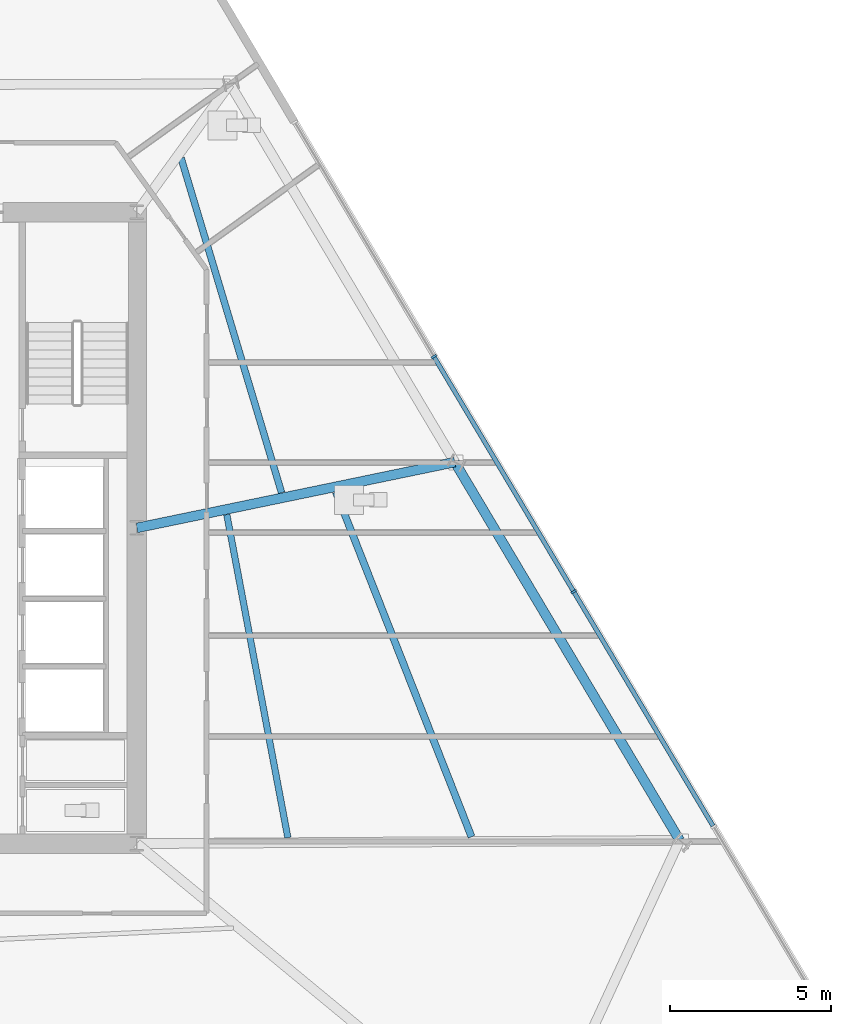
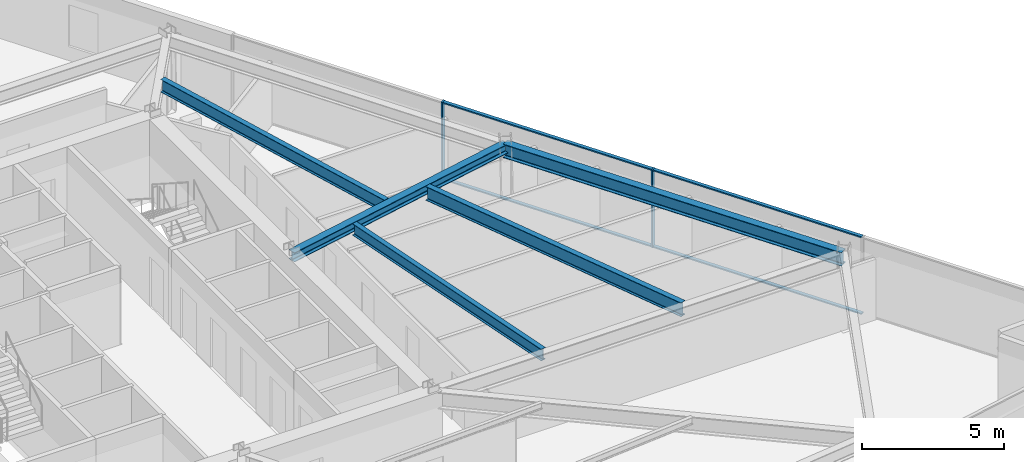
# One storey, part 6 of 18: 6 members, 5 beams, 1 element without a shape of its own.
"""IFC4 building model written with IfcOpenShell, lengths in metres."""

import ifcopenshell
import ifcopenshell.guid

model = None  # the IFC model being written
_history = None  # IfcOwnerHistory: only IFC2X3 demands one
_inside = {}  # id of a spatial element -> (the spatial element, [elements in it])
_under = {}  # id of a project, library or spatial element -> (it, [spatial elements below it])
_declared = {}  # id of a project -> (the project, [libraries it declares])
_typed = {}  # id of a type object -> (the type object, [elements of that type])
_made_of = {}  # id of a material, layer set ... -> (it, [elements and type objects made of it])


def new_model(schema):
    """Start an empty IFC model of exactly this schema.

    Asked for "IFC4X3", IfcOpenShell would pick the latest addendum, in which some entities
    have other attributes; the version numbers below select the first issue.
    IFC2X3 requires an IfcOwnerHistory on every rooted entity: one is made here for all.
    """
    global model, _history
    if schema == "IFC4X3":
        model = ifcopenshell.file(schema_version=(4, 3, 0, 0))
    else:
        model = ifcopenshell.file(schema=schema)
    _inside.clear()
    _under.clear()
    _declared.clear()
    _typed.clear()
    _made_of.clear()
    _history = None
    if model.schema == "IFC2X3":
        org = make("IfcOrganization", Name="unknown")
        user = make(
            "IfcPersonAndOrganization",
            ThePerson=make("IfcPerson", FamilyName="unknown"),
            TheOrganization=org,
        )
        app = make(
            "IfcApplication",
            ApplicationDeveloper=org,
            Version="unknown",
            ApplicationFullName="unknown",
            ApplicationIdentifier="unknown",
        )
        _history = make(
            "IfcOwnerHistory",
            OwningUser=user,
            OwningApplication=app,
            ChangeAction="ADDED",
            CreationDate=0,
        )
    return model


def make(cls, **values):
    """One entity of the class cls with the attributes given. An attribute that is None is left unset."""
    return model.create_entity(
        cls, **{name: value for name, value in values.items() if value is not None}
    )


def rooted(cls, **values):
    """An entity with a GlobalId (a new one), such as an element, a storey or a relation."""
    return make(cls, GlobalId=ifcopenshell.guid.new(), OwnerHistory=_history, **values)


def si_unit(unit_type, name, prefix=None):
    """IfcSIUnit, for example si_unit("LENGTHUNIT", "METRE", prefix="MILLI")."""
    return make("IfcSIUnit", UnitType=unit_type, Prefix=prefix, Name=name)


def assignment(units):
    """IfcUnitAssignment: the units of a project."""
    return None if units is None else make("IfcUnitAssignment", Units=units)


def point(xyz):
    """IfcCartesianPoint."""
    return None if xyz is None else make("IfcCartesianPoint", Coordinates=xyz)


def direction(xyz):
    """IfcDirection."""
    return None if xyz is None else make("IfcDirection", DirectionRatios=xyz)


def frame(location, z_axis=None, x_axis=None):
    """IfcAxis2Placement3D, a coordinate frame: its origin and axes. An axis left out is left unset."""
    return make(
        "IfcAxis2Placement3D",
        Location=point(location),
        Axis=direction(z_axis),
        RefDirection=direction(x_axis),
    )


def frame_2d(location, x_axis=None):
    """IfcAxis2Placement2D, a coordinate frame in the plane: its origin and x axis."""
    return make(
        "IfcAxis2Placement2D", Location=point(location), RefDirection=direction(x_axis)
    )


def origin():
    """The frame at (0, 0, 0) with its axes left unset."""
    return frame((0.0, 0.0, 0.0))


def origin_2d():
    """The frame at (0, 0) in the plane with its x axis left unset."""
    return frame_2d((0.0, 0.0))


def place(relative_to, where):
    """IfcLocalPlacement: puts the frame where relative to a parent placement (None: the world)."""
    return make(
        "IfcLocalPlacement", PlacementRelTo=relative_to, RelativePlacement=where
    )


def context(
    kind, dimensions, precision=None, world=None, true_north=None, identifier=None
):
    """IfcGeometricRepresentationContext, for example the 3D "Model" context."""
    return make(
        "IfcGeometricRepresentationContext",
        ContextIdentifier=identifier,
        ContextType=kind,
        CoordinateSpaceDimension=dimensions,
        Precision=precision,
        WorldCoordinateSystem=world,
        TrueNorth=true_north,
    )


def subcontext(parent, identifier, kind, view, scale=None):
    """IfcGeometricRepresentationSubContext, for example "Body" below "Model"."""
    return make(
        "IfcGeometricRepresentationSubContext",
        ContextIdentifier=identifier,
        ContextType=kind,
        ParentContext=parent,
        TargetScale=scale,
        TargetView=view,
    )


def project(units=None, contexts=None):
    """IfcProject with its units and contexts."""
    return rooted(
        "IfcProject",
        Name="project",
        RepresentationContexts=contexts,
        UnitsInContext=assignment(units),
    )


def spatial(cls, under=None, at=None, **own):
    """A site, building, storey or space (cls), placed at a placement, below another one or the project."""
    s = rooted(cls, ObjectPlacement=at, **own)
    if under is not None:
        _under.setdefault(under.id(), (under, []))[1].append(s)
    return s


def profile(cls, at=None, kind="AREA", **sizes):
    """A parametric profile (cls). Its sizes go by their IFC names, for example OverallWidth=200.0."""
    return make(cls, ProfileType=kind, Position=at, **sizes)


def rectangle(**sizes):
    """IfcRectangleProfileDef."""
    return profile("IfcRectangleProfileDef", **sizes)


def i_section(**sizes):
    """IfcIShapeProfileDef."""
    return profile("IfcIShapeProfileDef", **sizes)


def extrude(swept, where, along, depth):
    """IfcExtrudedAreaSolid: the profile swept, set in the frame where, extruded along a direction by depth."""
    return make(
        "IfcExtrudedAreaSolid",
        SweptArea=swept,
        Position=where,
        ExtrudedDirection=direction(along),
        Depth=depth,
    )


def shape(context_of_items, identifier, shape_type, items):
    """IfcShapeRepresentation: the items that make up one representation, for example the "Body"."""
    return make(
        "IfcShapeRepresentation",
        ContextOfItems=context_of_items,
        RepresentationIdentifier=identifier,
        RepresentationType=shape_type,
        Items=items,
    )


def material(Name=None, Category=None):
    """IfcMaterial."""
    return make("IfcMaterial", Name=Name, Category=Category)


def material_profile(
    of_material, cross_section, Name=None, Category=None, Priority=None
):
    """IfcMaterialProfile: a cross section and its material."""
    return make(
        "IfcMaterialProfile",
        Name=Name,
        Material=of_material,
        Profile=cross_section,
        Priority=Priority,
        Category=Category,
    )


def profile_set(profiles, Name=None, composite=None):
    """IfcMaterialProfileSet."""
    return make(
        "IfcMaterialProfileSet",
        Name=Name,
        MaterialProfiles=profiles,
        CompositeProfile=composite,
    )


def made_of(thing, what):
    """Note that an element or type object is made of a material, layer set ...; save() writes the relation."""
    if what is not None:
        _made_of.setdefault(what.id(), (what, []))[1].append(thing)
    return thing


def type_object(cls, material=None, **own):
    """A type object (cls), such as IfcWallType, which elements share."""
    return made_of(rooted(cls, **own), material)


def element(
    cls,
    number,
    at=None,
    inside=None,
    cuts=None,
    type_object=None,
    material=None,
    context=None,
    identifier="Body",
    shape_type=None,
    held_by="IfcProductDefinitionShape",
    body=None,
    shapes=None,
    **own,
):
    """One element of the class cls, such as IfcWall. Its Tag is "e" and its number.

    at: its placement. inside: the storey or other place that contains it. cuts: it is an
    opening in that element (IfcRelVoidsElement). A single representation is given by context,
    identifier, shape_type and body (its items); several are given by shapes. held_by: the class
    of the entity that holds the representations. save() writes the other relations.
    """
    e = rooted(cls, Tag="e%d" % number, ObjectPlacement=at, **own)
    if body is not None:
        shapes = [shape(context, identifier, shape_type, body)]
    if shapes is not None:
        e.Representation = make(held_by, Representations=shapes)
    if inside is not None:
        _inside.setdefault(inside.id(), (inside, []))[1].append(e)
    if cuts is not None:
        rooted(
            "IfcRelVoidsElement", RelatingBuildingElement=cuts, RelatedOpeningElement=e
        )
    if type_object is not None:
        _typed.setdefault(type_object.id(), (type_object, []))[1].append(e)
    return made_of(e, material)


def aggregate(whole, parts):
    """IfcRelAggregates: a whole, such as a stair, and the parts it consists of."""
    return rooted("IfcRelAggregates", RelatingObject=whole, RelatedObjects=parts)


def save(model, path):
    """Write the relations noted so far, then the file.

    IfcRelAggregates (storeys below a building ...), IfcRelContainedInSpatialStructure (elements
    in a storey), IfcRelDefinesByType, IfcRelAssociatesMaterial and IfcRelDeclares: one each for
    every whole, place, type object, material and project.
    """
    for whole, parts in _under.values():
        aggregate(whole, parts)
    for where, things in _inside.values():
        rooted(
            "IfcRelContainedInSpatialStructure",
            RelatedElements=things,
            RelatingStructure=where,
        )
    for kind, things in _typed.values():
        rooted("IfcRelDefinesByType", RelatedObjects=things, RelatingType=kind)
    for what, things in _made_of.values():
        rooted("IfcRelAssociatesMaterial", RelatedObjects=things, RelatingMaterial=what)
    for by, libraries in _declared.values():
        rooted("IfcRelDeclares", RelatingContext=by, RelatedDefinitions=libraries)
    model.write(path)


model = new_model("IFC4")

# Units and contexts
model_context = context("Model", 3, precision=1e-05, world=origin(), true_north=direction((0.0, 1.0)))
body_context = subcontext(model_context, "Body", "Model", "MODEL_VIEW")
ifc_project = project(units=[si_unit("LENGTHUNIT", "METRE"), si_unit("AREAUNIT", "SQUARE_METRE"), si_unit("VOLUMEUNIT", "CUBIC_METRE"), si_unit("PLANEANGLEUNIT", "RADIAN"), si_unit("MASSUNIT", "GRAM", prefix="KILO")], contexts=[model_context])

# Site, building, storey
site_placement = place(None, origin())
site = spatial("IfcSite", under=ifc_project, at=site_placement, CompositionType="ELEMENT")
building_placement = place(site_placement, origin())
building = spatial("IfcBuilding", under=site, at=building_placement, Name="Savorim Split Tower", CompositionType="ELEMENT")
storey_placement = place(building_placement, frame((0.0, 0.0, 48.0)))
storey = spatial("IfcBuildingStorey", under=building, at=storey_placement, Name="L12", CompositionType="ELEMENT", Elevation=48.0)

# Beams
ifc_material_1 = material(Name="Steel S355", Category="steel")
ifc_material_profile_1 = material_profile(ifc_material_1, i_section(OverallWidth=0.199951171875, OverallDepth=0.5, WebThickness=0.01025390625, FlangeThickness=0.01611328125, FilletRadius=0.02099609375, at=origin_2d()), Name="IPE 500")
ifc_profile_set_1 = profile_set([ifc_material_profile_1], Name="Steel S355")
beam_type_1 = type_object("IfcBeamType", Name="BM-JST-IPE500", PredefinedType="JOIST", material=ifc_profile_set_1)
beam_1_placement = place(storey_placement, frame((12.3896484375, -9.21484375, 3.10009765625), z_axis=(-0.185723783507, 0.982601992793, 0.0), x_axis=(-0.982601992793, -0.185723783507, 0.0)))
element("IfcBeam", 1, at=beam_1_placement, inside=storey, type_object=beam_type_1, Name="L12 Secondary Floor Joist JS-08", PredefinedType="JOIST", context=body_context, shape_type="SweptSolid", body=[
    extrude(i_section(OverallWidth=0.199951171875, OverallDepth=0.5, WebThickness=0.01025390625, FlangeThickness=0.01611328125, FilletRadius=0.02099609375, at=origin_2d()), origin(), (0.0, 0.0, 1.0), 10.207275390625),
])
ifc_material_profile_2 = material_profile(ifc_material_1, i_section(OverallWidth=0.2099609375, OverallDepth=0.550048828125, WebThickness=0.010986328125, FlangeThickness=0.01708984375, FilletRadius=0.02392578125, at=origin_2d()), Name="IPE 550")
ifc_profile_set_2 = profile_set([ifc_material_profile_2], Name="Steel S355")
beam_type_2 = type_object("IfcBeamType", Name="BM-JST-IPE550", PredefinedType="JOIST", material=ifc_profile_set_2)
beam_2_placement = place(storey_placement, frame((12.1953125, 1.492919921875, 3.074951171875), z_axis=(-0.287670022071, 0.957729585218, 0.0), x_axis=(-0.957729585218, -0.287670022071, 0.0)))
element("IfcBeam", 2, at=beam_2_placement, inside=storey, type_object=beam_type_2, Name="L12 Secondary Floor Joist JS-07", PredefinedType="JOIST", context=body_context, shape_type="SweptSolid", body=[
    extrude(i_section(OverallWidth=0.2099609375, OverallDepth=0.550048828125, WebThickness=0.010986328125, FlangeThickness=0.01708984375, FilletRadius=0.02392578125, at=origin_2d()), origin(), (0.0, 0.0, 1.0), 10.84619140625),
])
ifc_material_profile_3 = material_profile(ifc_material_1, i_section(OverallWidth=0.219970703125, OverallDepth=0.60009765625, WebThickness=0.011962890625, FlangeThickness=0.01904296875, FilletRadius=0.02392578125, at=origin_2d()), Name="IPE 600")
ifc_profile_set_3 = profile_set([ifc_material_profile_3], Name="Steel S355")
beam_type_3 = type_object("IfcBeamType", Name="BM-JST-IPE600", PredefinedType="JOIST", material=ifc_profile_set_3)
beam_3_placement = place(storey_placement, frame((18.09130859375, -9.189208984375, 3.050048828125), z_axis=(-0.366072497463, 0.930586334845, 0.0), x_axis=(-0.930586334845, -0.366072497463, 0.0)))
element("IfcBeam", 3, at=beam_3_placement, inside=storey, type_object=beam_type_3, Name="L12 Secondary Floor Joist JS-06", PredefinedType="JOIST", context=body_context, shape_type="SweptSolid", body=[
    extrude(i_section(OverallWidth=0.219970703125, OverallDepth=0.60009765625, WebThickness=0.011962890625, FlangeThickness=0.01904296875, FilletRadius=0.02392578125, at=origin_2d()), origin(), (0.0, 0.0, 1.0), 11.505615234375),
])
ifc_material_profile_4 = material_profile(ifc_material_1, i_section(OverallWidth=0.300048828125, OverallDepth=0.39990234375, WebThickness=0.013427734375, FlangeThickness=0.02392578125, FilletRadius=0.027099609375, at=origin_2d()), Name="HEB 400")
ifc_profile_set_4 = profile_set([ifc_material_profile_4], Name="Steel S355")
beam_type_4 = type_object("IfcBeamType", Name="BM-PRI-HEB400", PredefinedType="BEAM", material=ifc_profile_set_4)
beam_4_placement = place(storey_placement, frame((17.572021484375, 2.443115234375, 3.14990234375), z_axis=(-0.979246334168, -0.20267367125, 0.0), x_axis=(0.20267367125, -0.979246334168, 0.0)))
element("IfcBeam", 4, at=beam_4_placement, inside=storey, type_object=beam_type_4, Name="L12 Primary Floor Girder RG-06", PredefinedType="BEAM", context=body_context, shape_type="SweptSolid", body=[
    extrude(i_section(OverallWidth=0.300048828125, OverallDepth=0.39990234375, WebThickness=0.013427734375, FlangeThickness=0.02392578125, FilletRadius=0.027099609375, at=origin_2d()), origin(), (0.0, 0.0, 1.0), 10.081298828125),
])
ifc_material_profile_5 = material_profile(ifc_material_1, i_section(OverallWidth=0.300048828125, OverallDepth=0.590087890625, WebThickness=0.012939453125, FlangeThickness=0.02490234375, FilletRadius=0.027099609375, at=origin_2d()), Name="HEA 600")
ifc_profile_set_5 = profile_set([ifc_material_profile_5], Name="Steel S355")
beam_type_5 = type_object("IfcBeamType", Name="BM-SPN-HEA600", PredefinedType="SPANDREL", material=ifc_profile_set_5)
beam_5_placement = place(storey_placement, frame((24.554931640625, -9.300048828125, 3.054931640625), z_axis=(-0.511101796594, 0.859520187965, 0.0), x_axis=(-0.859520187965, -0.511101796594, 0.0)))
element("IfcBeam", 5, at=beam_5_placement, inside=storey, type_object=beam_type_5, Name="L12 Perimeter Spandrel Beam 5", PredefinedType="SPANDREL", context=body_context, shape_type="SweptSolid", body=[
    extrude(i_section(OverallWidth=0.300048828125, OverallDepth=0.590087890625, WebThickness=0.012939453125, FlangeThickness=0.02490234375, FilletRadius=0.027099609375, at=origin_2d()), origin(), (0.0, 0.0, 1.0), 13.662353515625),
])

# Curtain wall, members
ifc_material_2 = material(Name="Dark Ceramic-Fritted Insulated Glass", Category="glass")
curtain_wall_type = type_object("IfcCurtainWallType", Name="CW-TWR-FRIT-A", PredefinedType="NOTDEFINED", material=ifc_material_2)
curtain_wall_placement = place(storey_placement, origin())
curtain_wall = element("IfcCurtainWall", 6, at=curtain_wall_placement, inside=storey, type_object=curtain_wall_type, Name="L12 Curtain Wall CW-L12-EAST", PredefinedType="NOTDEFINED")
ifc_material_3 = material(Name="Charcoal Anodised Aluminium", Category="aluminium")
ifc_material_profile_6 = material_profile(ifc_material_3, rectangle(XDim=0.179931640625, YDim=0.06494140625, at=origin_2d()), Name="ALU-M 180x65")
ifc_profile_set_6 = profile_set([ifc_material_profile_6], Name="Charcoal Anodised Aluminium")
member_type_1 = type_object("IfcMemberType", Name="CWM-180x65", PredefinedType="MULLION", material=ifc_profile_set_6)
member_1_placement = place(storey_placement, frame((21.263916015625, -1.5791015625, 0.0), z_axis=(0.0, 0.0, 1.0), x_axis=(-0.859525752007, -0.511092439425, 0.0)))
member_1 = element("IfcMember", 7, at=member_1_placement, type_object=member_type_1, Name="CW-02 mullion 3", PredefinedType="MULLION", context=body_context, shape_type="SweptSolid", body=[
    extrude(rectangle(XDim=0.179931640625, YDim=0.06494140625, at=origin_2d()), origin(), (0.0, 0.0, 1.0), 3.35009765625),
])
member_2_placement = place(storey_placement, frame((16.92333984375, 5.72021484375, 0.0), z_axis=(0.0, 0.0, 1.0), x_axis=(-0.859525752007, -0.511092439425, 0.0)))
member_2 = element("IfcMember", 8, at=member_2_placement, type_object=member_type_1, Name="CW-02 mullion 4", PredefinedType="MULLION", context=body_context, shape_type="SweptSolid", body=[
    extrude(rectangle(XDim=0.179931640625, YDim=0.06494140625, at=origin_2d()), origin(), (0.0, 0.0, 1.0), 3.35009765625),
])
ifc_material_profile_7 = material_profile(ifc_material_3, rectangle(XDim=0.139892578125, YDim=0.054931640625, at=origin_2d()), Name="ALU-T 140x55")
ifc_profile_set_7 = profile_set([ifc_material_profile_7], Name="Charcoal Anodised Aluminium")
member_type_2 = type_object("IfcMemberType", Name="CWT-140x55", PredefinedType="USERDEFINED", material=ifc_profile_set_7)
member_3_placement = place(storey_placement, frame((25.587646484375, -8.8505859375, 0.027587890625), z_axis=(-0.511096217662, 0.859523505375, 0.0), x_axis=(-0.859523505375, -0.511096217662, 0.0)))
member_3 = element("IfcMember", 9, at=member_3_placement, type_object=member_type_2, Name="CW-02 transom 2.1", ObjectType="TRANSOM", PredefinedType="USERDEFINED", context=body_context, shape_type="SweptSolid", body=[
    extrude(rectangle(XDim=0.139892578125, YDim=0.054931640625, at=origin_2d()), origin(), (0.0, 0.0, 1.0), 8.42724609375),
])
member_4_placement = place(storey_placement, frame((25.587646484375, -8.8505859375, 3.322509765625), z_axis=(-0.511096217662, 0.859523505375, 0.0), x_axis=(-0.859523505375, -0.511096217662, 0.0)))
member_4 = element("IfcMember", 10, at=member_4_placement, type_object=member_type_2, Name="CW-02 transom 2.2", ObjectType="TRANSOM", PredefinedType="USERDEFINED", context=body_context, shape_type="SweptSolid", body=[
    extrude(rectangle(XDim=0.139892578125, YDim=0.054931640625, at=origin_2d()), origin(), (0.0, 0.0, 1.0), 8.42724609375),
])
member_5_placement = place(storey_placement, frame((21.2470703125, -1.55126953125, 0.027587890625), z_axis=(-0.511096217662, 0.859523505375, 0.0), x_axis=(-0.859523505375, -0.511096217662, 0.0)))
member_5 = element("IfcMember", 11, at=member_5_placement, type_object=member_type_2, Name="CW-02 transom 3.1", ObjectType="TRANSOM", PredefinedType="USERDEFINED", context=body_context, shape_type="SweptSolid", body=[
    extrude(rectangle(XDim=0.139892578125, YDim=0.054931640625, at=origin_2d()), origin(), (0.0, 0.0, 1.0), 8.42724609375),
])
member_6_placement = place(storey_placement, frame((21.2470703125, -1.55126953125, 3.322509765625), z_axis=(-0.511096217662, 0.859523505375, 0.0), x_axis=(-0.859523505375, -0.511096217662, 0.0)))
member_6 = element("IfcMember", 12, at=member_6_placement, type_object=member_type_2, Name="CW-02 transom 3.2", ObjectType="TRANSOM", PredefinedType="USERDEFINED", context=body_context, shape_type="SweptSolid", body=[
    extrude(rectangle(XDim=0.139892578125, YDim=0.054931640625, at=origin_2d()), origin(), (0.0, 0.0, 1.0), 8.42724609375),
])
aggregate(curtain_wall, [member_1, member_2, member_3, member_4, member_5, member_6])

save(model, "model.ifc")
